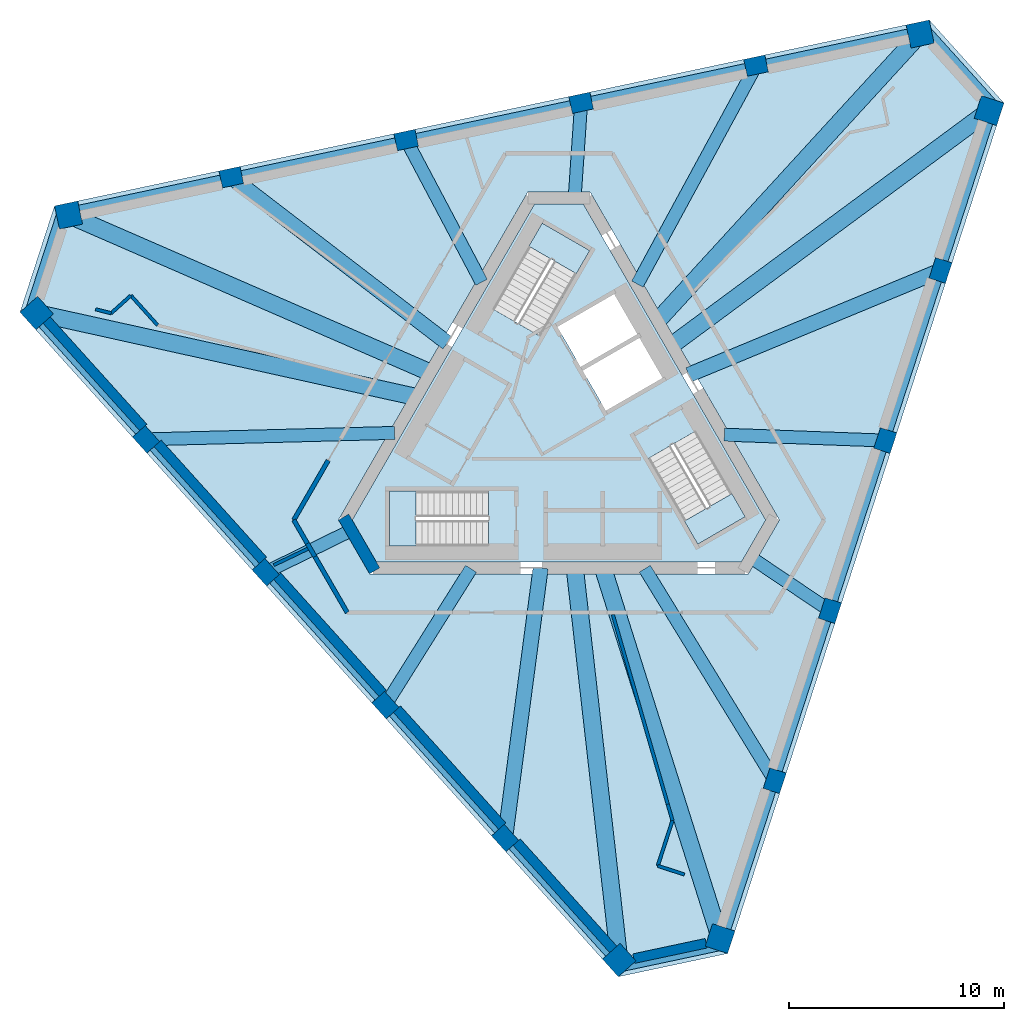
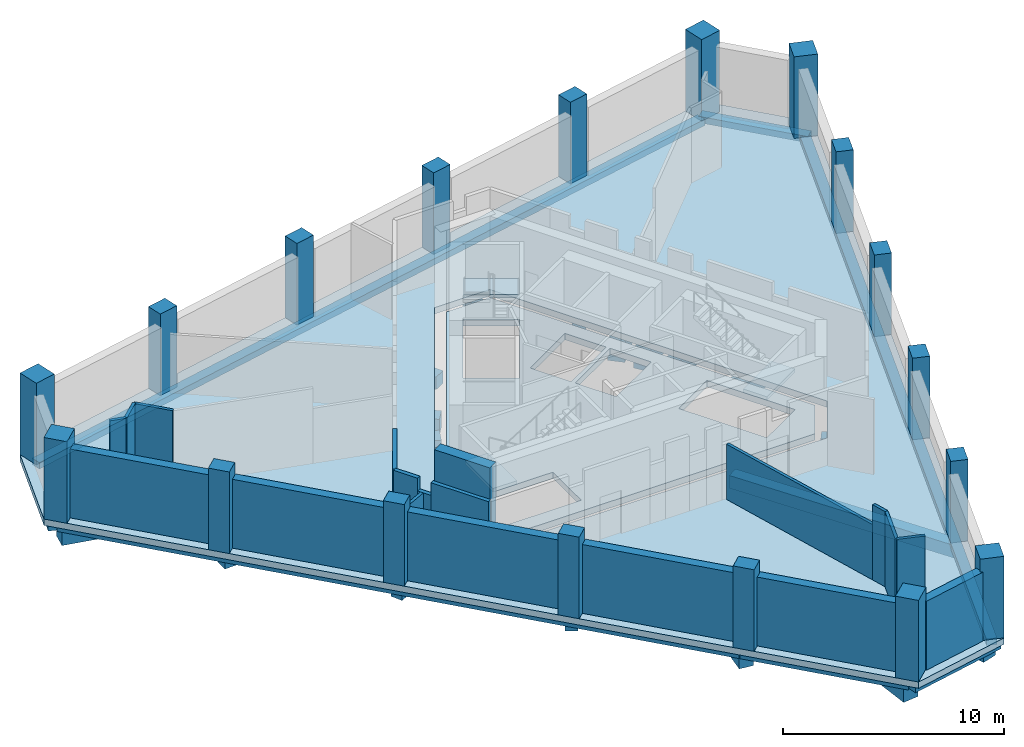
# One storey, part 1 of 5: 24 beams, 19 walls, 18 columns, 5 slabs, 3 elements without a shape of their own.
"""IFC4 building model written with IfcOpenShell, lengths in metres."""

from ifc_helpers import new_model, si_unit, direction, frame, frame_2d, origin, origin_2d, place, context, subcontext, project, spatial, polyline, rectangle, outline, extrude, material, layer, layer_set, material_profile, profile_set, type_object, element, aggregate, save


model = new_model("IFC4")

# Units and contexts
model_context = context("Model", 3, precision=1e-05, world=origin(), true_north=direction((0.0, 1.0)))
body_context = subcontext(model_context, "Body", "Model", "MODEL_VIEW")
ifc_project = project(units=[si_unit("LENGTHUNIT", "METRE"), si_unit("AREAUNIT", "SQUARE_METRE"), si_unit("VOLUMEUNIT", "CUBIC_METRE"), si_unit("PLANEANGLEUNIT", "RADIAN"), si_unit("MASSUNIT", "GRAM", prefix="KILO")], contexts=[model_context])

# Site, building, storey
site_placement = place(None, origin())
site = spatial("IfcSite", under=ifc_project, at=site_placement, CompositionType="ELEMENT")
building_placement = place(site_placement, origin())
building = spatial("IfcBuilding", under=site, at=building_placement, Name="Tramontana Tower", CompositionType="ELEMENT")
storey_placement = place(building_placement, frame((0.0, 0.0, 352.39990234375)))
storey = spatial("IfcBuildingStorey", under=building, at=storey_placement, Name="L81", CompositionType="ELEMENT", Elevation=352.39990234375)

# Columns
ifc_material_1 = material(Name="Concrete 55 MPa", Category="concrete")
ifc_material_profile_1 = material_profile(ifc_material_1, rectangle(XDim=1.10009765625, YDim=1.10009765625, at=origin_2d()), Name="Mega column 1100X1100 55 MPa")
ifc_profile_set_1 = profile_set([ifc_material_profile_1], Name="Concrete 55 MPa")
column_type_1 = type_object("IfcColumnType", Name="Mega column 1100X1100 55 MPa", PredefinedType="COLUMN", material=ifc_profile_set_1)
for number, where, z_axis, x_axis, name in (
    (1, (-24.278076171875, 5.368408203125, 0.0), (0.0, 0.0, 1.0), (0.669130606359, -0.743144825477, 0.0), "Mega column C8K1 L81"),
    (2, (2.80126953125, -24.706298828125, 0.0), (0.0, 0.0, 1.0), (0.669130606359, -0.743144825477, 0.0), "Mega column C8K2 L81"),
    (3, (7.489990234375, -23.70947265625, 0.0), (0.0, 0.0, 1.0), (0.309016994375, 0.951056516295, 0.0), "Mega column C8K3 L81"),
    (4, (19.99560546875, 14.779052734375, 0.0), (0.0, 0.0, 1.0), (0.309016994375, 0.951056516295, 0.0), "Mega column C8K4 L81"),
    (5, (16.7880859375, 18.34130859375, 0.0), (0.0, 0.0, 1.0), (-0.978147600734, -0.207911690818, 0.0), "Mega column C8K5 L81"),
    (6, (-22.796875, 9.92724609375, 0.0), (0.0, 0.0, 1.0), (-0.978147600734, -0.207911690818, 0.0), "Mega column C8K6 L81"),
):
    element("IfcColumn", number, at=place(storey_placement, frame(where, z_axis=z_axis, x_axis=x_axis)), inside=storey, type_object=column_type_1, Name=name, PredefinedType="COLUMN", context=body_context, shape_type="SweptSolid", body=[
        extrude(rectangle(XDim=1.10009765625, YDim=1.10009765625, at=origin_2d()), origin(), (0.0, 0.0, 1.0), 4.5),
    ])
ifc_material_2 = material(Name="Concrete 55 MPa", Category="concrete")
ifc_material_profile_2 = material_profile(ifc_material_2, rectangle(XDim=1.0, YDim=0.800048828125, at=origin_2d()), Name="Pier column 1000X800 55 MPa")
ifc_profile_set_2 = profile_set([ifc_material_profile_2], Name="Concrete 55 MPa")
column_type_2 = type_object("IfcColumnType", Name="Pier column 1000X800 55 MPa", PredefinedType="COLUMN", material=ifc_profile_set_2)
for number, where, z_axis, x_axis, name in (
    (7, (-19.194580078125, -0.501708984375, 0.0), (0.0, 0.0, 1.0), (0.669130606359, -0.743144825477, 0.0), "Pier column C8F01 L81"),
    (8, (-13.63134765625, -6.68017578125, 0.0), (0.0, 0.0, 1.0), (0.669130606359, -0.743144825477, 0.0), "Pier column C8F02 L81"),
    (9, (-8.068359375, -12.8583984375, 0.0), (0.0, 0.0, 1.0), (0.669130606359, -0.743144825477, 0.0), "Pier column C8F03 L81"),
    (10, (-2.50537109375, -19.036865234375, 0.0), (0.0, 0.0, 1.0), (0.669130606359, -0.743144825477, 0.0), "Pier column C8F04 L81"),
    (11, (10.03173828125, -16.3720703125, 0.0), (0.0, 0.0, 1.0), (0.309016994375, 0.951056516295, 0.0), "Pier column C8F05 L81"),
    (12, (12.600830078125, -8.465087890625, 0.0), (0.0, 0.0, 1.0), (0.309016994375, 0.951056516295, 0.0), "Pier column C8F06 L81"),
    (13, (15.169921875, -0.55810546875, 0.0), (0.0, 0.0, 1.0), (0.309016994375, 0.951056516295, 0.0), "Pier column C8F07 L81"),
    (14, (17.739013671875, 7.348876953125, 0.0), (0.0, 0.0, 1.0), (0.309016994375, 0.951056516295, 0.0), "Pier column C8F08 L81"),
    (15, (9.162841796875, 16.873779296875, 0.0), (0.0, 0.0, 1.0), (-0.978147600734, -0.207911690818, 0.0), "Pier column C8F09 L81"),
    (16, (1.030517578125, 15.145263671875, 0.0), (0.0, 0.0, 1.0), (-0.978147600734, -0.207911690818, 0.0), "Pier column C8F10 L81"),
    (17, (-7.1015625, 13.416748046875, 0.0), (0.0, 0.0, 1.0), (-0.978147600734, -0.207911690818, 0.0), "Pier column C8F11 L81"),
    (18, (-15.233642578125, 11.688232421875, 0.0), (0.0, 0.0, 1.0), (-0.978147600734, -0.207911690818, 0.0), "Pier column C8F12 L81"),
):
    element("IfcColumn", number, at=place(storey_placement, frame(where, z_axis=z_axis, x_axis=x_axis)), inside=storey, type_object=column_type_2, Name=name, PredefinedType="COLUMN", context=body_context, shape_type="SweptSolid", body=[
        extrude(rectangle(XDim=1.0, YDim=0.800048828125, at=origin_2d()), origin(), (0.0, 0.0, 1.0), 4.5),
    ])

# Beams
ifc_material_3 = material(Name="Concrete 40 MPa", Category="concrete")
ifc_material_profile_3 = material_profile(ifc_material_3, rectangle(XDim=0.5, YDim=0.35009765625, at=origin_2d()), Name="RC EDGE BEAM 500X350 40 MPa")
ifc_profile_set_3 = profile_set([ifc_material_profile_3], Name="Concrete 40 MPa")
beam_type_1 = type_object("IfcBeamType", Name="RC EDGE BEAM 500X350 40 MPa", PredefinedType="SPANDREL", material=ifc_profile_set_3)
for number, where, z_axis, x_axis, name in (
    (19, (-24.352294921875, 5.301513671875, -0.52490234375), (0.669126699639, -0.743148343086, 0.0), (0.743148343086, 0.669126699639, 0.0), "Spandrel beam S0 L81"),
    (20, (7.5849609375, -23.740478515625, -0.52490234375), (0.309021003975, 0.951055213488, 0.0), (-0.951055213488, 0.309021003975, 0.0), "Spandrel beam S1 L81"),
):
    element("IfcBeam", number, at=place(storey_placement, frame(where, z_axis=z_axis, x_axis=x_axis)), inside=storey, type_object=beam_type_1, Name=name, PredefinedType="SPANDREL", context=body_context, shape_type="SweptSolid", body=[
        extrude(rectangle(XDim=0.5, YDim=0.35009765625, at=origin_2d()), origin(), (0.0, 0.0, 1.0), 40.46923828125),
    ])
beam_1_placement = place(storey_placement, frame((16.767333984375, 18.439208984375, -0.52490234375), z_axis=(-0.978146276815, -0.20791791927, 0.0), x_axis=(0.20791791927, -0.978146276815, 0.0)))
element("IfcBeam", 21, at=beam_1_placement, inside=storey, type_object=beam_type_1, Name="Spandrel beam S2 L81", PredefinedType="SPANDREL", context=body_context, shape_type="SweptSolid", body=[
    extrude(rectangle(XDim=0.5, YDim=0.35009765625, at=origin_2d()), origin(), (0.0, 0.0, 1.0), 40.469482421875),
])
beam_2_placement = place(storey_placement, frame((-23.02099609375, 10.2119140625, -0.52490234375), z_axis=(-0.309015953557, -0.951056854477, 0.0), x_axis=(0.951056854477, -0.309015953557, 0.0)))
element("IfcBeam", 22, at=beam_2_placement, inside=storey, type_object=beam_type_1, Name="Spandrel beam K0 L81", PredefinedType="SPANDREL", context=body_context, shape_type="SweptSolid", body=[
    extrude(rectangle(XDim=0.5, YDim=0.35009765625, at=origin_2d()), origin(), (0.0, 0.0, 1.0), 5.1962890625),
])
for number, where, z_axis, x_axis, name in (
    (23, (2.6669921875, -25.042724609375, -0.52490234375), (0.97814762463, 0.207911578393, 0.0), (-0.207911578393, 0.97814762463, 0.0), "Spandrel beam K1 L81"),
    (24, (20.354248046875, 14.8310546875, -0.52490234375), (-0.66916199362, 0.74311656306, 0.0), (-0.74311656306, -0.66916199362, 0.0), "Spandrel beam K2 L81"),
):
    element("IfcBeam", number, at=place(storey_placement, frame(where, z_axis=z_axis, x_axis=x_axis)), inside=storey, type_object=beam_type_1, Name=name, PredefinedType="SPANDREL", context=body_context, shape_type="SweptSolid", body=[
        extrude(rectangle(XDim=0.5, YDim=0.35009765625, at=origin_2d()), origin(), (0.0, 0.0, 1.0), 5.196044921875),
    ])
ifc_material_4 = material(Name="Concrete 40 MPa", Category="concrete")
ifc_material_profile_4 = material_profile(ifc_material_4, rectangle(XDim=0.60009765625, YDim=0.699951171875, at=origin_2d()), Name="RC GIRDER 600X700 40 MPa")
ifc_profile_set_4 = profile_set([ifc_material_profile_4], Name="Concrete 40 MPa")
beam_type_2 = type_object("IfcBeamType", Name="RC GIRDER 600X700 40 MPa", PredefinedType="BEAM", material=ifc_profile_set_4)
beam_3_placement = place(storey_placement, frame((-19.194580078125, -0.501708984375, -0.699951171875), z_axis=(0.999658682192, 0.026125066864, 0.0), x_axis=(-0.026125066864, 0.999658682192, 0.0)))
element("IfcBeam", 25, at=beam_3_placement, inside=storey, type_object=beam_type_2, Name="Radial girder C8F01 L81", PredefinedType="BEAM", context=body_context, shape_type="SweptSolid", body=[
    extrude(rectangle(XDim=0.60009765625, YDim=0.699951171875, at=origin_2d()), origin(), (0.0, 0.0, 1.0), 11.559814453125),
])
beam_4_placement = place(storey_placement, frame((-13.63134765625, -6.68017578125, -0.699951171875), z_axis=(0.897959158445, 0.440078799496, 0.0), x_axis=(-0.440078799496, 0.897959158445, 0.0)))
element("IfcBeam", 26, at=beam_4_placement, inside=storey, type_object=beam_type_2, Name="Radial girder C8F02 L81", PredefinedType="BEAM", context=body_context, shape_type="SweptSolid", body=[
    extrude(rectangle(XDim=0.60009765625, YDim=0.699951171875, at=origin_2d()), origin(), (0.0, 0.0, 1.0), 4.4296875),
])
beam_5_placement = place(storey_placement, frame((-8.068359375, -12.8583984375, -0.699951171875), z_axis=(0.531504835363, 0.847055257929, 0.0), x_axis=(-0.847055257929, 0.531504835363, 0.0)))
element("IfcBeam", 27, at=beam_5_placement, inside=storey, type_object=beam_type_2, Name="Radial girder C8F03 L81", PredefinedType="BEAM", context=body_context, shape_type="SweptSolid", body=[
    extrude(rectangle(XDim=0.60009765625, YDim=0.699951171875, at=origin_2d()), origin(), (0.0, 0.0, 1.0), 7.486328125),
])
beam_6_placement = place(storey_placement, frame((10.03173828125, -16.3720703125, -0.699951171875), z_axis=(-0.522458548495, 0.852664685034, 0.0), x_axis=(-0.852664685034, -0.522458548495, 0.0)))
element("IfcBeam", 28, at=beam_6_placement, inside=storey, type_object=beam_type_2, Name="Radial girder C8F05 L81", PredefinedType="BEAM", context=body_context, shape_type="SweptSolid", body=[
    extrude(rectangle(XDim=0.60009765625, YDim=0.699951171875, at=origin_2d()), origin(), (0.0, 0.0, 1.0), 11.559814453125),
])
beam_7_placement = place(storey_placement, frame((12.600830078125, -8.465087890625, -0.699951171875), z_axis=(-0.830077902204, 0.557647448011, 0.0), x_axis=(-0.557647448011, -0.830077902204, 0.0)))
element("IfcBeam", 29, at=beam_7_placement, inside=storey, type_object=beam_type_2, Name="Radial girder C8F06 L81", PredefinedType="BEAM", context=body_context, shape_type="SweptSolid", body=[
    extrude(rectangle(XDim=0.60009765625, YDim=0.699951171875, at=origin_2d()), origin(), (0.0, 0.0, 1.0), 4.4296875),
])
beam_8_placement = place(storey_placement, frame((15.169921875, -0.55810546875, -0.699951171875), z_axis=(-0.999324360611, 0.036753534393, 0.0), x_axis=(-0.036753534393, -0.999324360611, 0.0)))
element("IfcBeam", 30, at=beam_8_placement, inside=storey, type_object=beam_type_2, Name="Radial girder C8F07 L81", PredefinedType="BEAM", context=body_context, shape_type="SweptSolid", body=[
    extrude(rectangle(XDim=0.60009765625, YDim=0.699951171875, at=origin_2d()), origin(), (0.0, 0.0, 1.0), 7.486328125),
])
beam_9_placement = place(storey_placement, frame((9.16259765625, 16.873779296875, -0.699951171875), z_axis=(-0.477185075818, -0.87880282397, 0.0), x_axis=(0.87880282397, -0.477185075818, 0.0)))
element("IfcBeam", 31, at=beam_9_placement, inside=storey, type_object=beam_type_2, Name="Radial girder C8F09 L81", PredefinedType="BEAM", context=body_context, shape_type="SweptSolid", body=[
    extrude(rectangle(XDim=0.60009765625, YDim=0.699951171875, at=origin_2d()), origin(), (0.0, 0.0, 1.0), 11.559814453125),
])
beam_10_placement = place(storey_placement, frame((1.030517578125, 15.145263671875, -0.699951171875), z_axis=(-0.067897965918, -0.997692270304, 0.0), x_axis=(0.997692270304, -0.067897965918, 0.0)))
element("IfcBeam", 32, at=beam_10_placement, inside=storey, type_object=beam_type_2, Name="Radial girder C8F10 L81", PredefinedType="BEAM", context=body_context, shape_type="SweptSolid", body=[
    extrude(rectangle(XDim=0.60009765625, YDim=0.699951171875, at=origin_2d()), origin(), (0.0, 0.0, 1.0), 4.429931640625),
])
beam_11_placement = place(storey_placement, frame((-7.1015625, 13.416748046875, -0.699951171875), z_axis=(0.467808305742, -0.883829954843, 0.0), x_axis=(0.883829954843, 0.467808305742, 0.0)))
element("IfcBeam", 33, at=beam_11_placement, inside=storey, type_object=beam_type_2, Name="Radial girder C8F11 L81", PredefinedType="BEAM", context=body_context, shape_type="SweptSolid", body=[
    extrude(rectangle(XDim=0.60009765625, YDim=0.699951171875, at=origin_2d()), origin(), (0.0, 0.0, 1.0), 7.486328125),
])
ifc_material_5 = material(Name="Concrete 40 MPa", Category="concrete")
ifc_material_profile_5 = material_profile(ifc_material_5, rectangle(XDim=0.699951171875, YDim=0.89990234375, at=origin_2d()), Name="RC GIRDER 700X900 40 MPa")
ifc_profile_set_5 = profile_set([ifc_material_profile_5], Name="Concrete 40 MPa")
beam_type_3 = type_object("IfcBeamType", Name="RC GIRDER 700X900 40 MPa", PredefinedType="BEAM", material=ifc_profile_set_5)
beam_12_placement = place(storey_placement, frame((-2.50537109375, -19.036865234375, -0.7998046875), z_axis=(0.130493398369, 0.991449178214, 0.0), x_axis=(-0.991449178214, 0.130493398369, 0.0)))
element("IfcBeam", 34, at=beam_12_placement, inside=storey, type_object=beam_type_3, Name="Radial girder C8F04 L81", PredefinedType="BEAM", context=body_context, shape_type="SweptSolid", body=[
    extrude(rectangle(XDim=0.699951171875, YDim=0.89990234375, at=origin_2d()), origin(), (0.0, 0.0, 1.0), 12.66796875),
])
beam_13_placement = place(storey_placement, frame((17.739013671875, 7.348876953125, -0.7998046875), z_axis=(-0.923857326556, -0.382737037885, 0.0), x_axis=(0.382737037885, -0.923857326556, 0.0)))
element("IfcBeam", 35, at=beam_13_placement, inside=storey, type_object=beam_type_3, Name="Radial girder C8F08 L81", PredefinedType="BEAM", context=body_context, shape_type="SweptSolid", body=[
    extrude(rectangle(XDim=0.699951171875, YDim=0.89990234375, at=origin_2d()), origin(), (0.0, 0.0, 1.0), 12.667724609375),
])
beam_14_placement = place(storey_placement, frame((-15.23388671875, 11.68798828125, -0.7998046875), z_axis=(0.793386383047, -0.608718364431, 0.0), x_axis=(0.608718364431, 0.793386383047, 0.0)))
element("IfcBeam", 36, at=beam_14_placement, inside=storey, type_object=beam_type_3, Name="Radial girder C8F12 L81", PredefinedType="BEAM", context=body_context, shape_type="SweptSolid", body=[
    extrude(rectangle(XDim=0.699951171875, YDim=0.89990234375, at=origin_2d()), origin(), (0.0, 0.0, 1.0), 12.66796875),
])
ifc_material_6 = material(Name="Concrete 40 MPa", Category="concrete")
ifc_material_profile_6 = material_profile(ifc_material_6, rectangle(XDim=0.800048828125, YDim=1.10009765625, at=origin_2d()), Name="RC GIRDER 800X1100 40 MPa")
ifc_profile_set_6 = profile_set([ifc_material_profile_6], Name="Concrete 40 MPa")
beam_type_4 = type_object("IfcBeamType", Name="RC GIRDER 800X1100 40 MPa", PredefinedType="BEAM", material=ifc_profile_set_6)
beam_15_placement = place(storey_placement, frame((-24.278076171875, 5.368408203125, -0.89990234375), z_axis=(0.976414256624, -0.215905533653, 0.0), x_axis=(0.215905533653, 0.976414256624, 0.0)))
element("IfcBeam", 37, at=beam_15_placement, inside=storey, type_object=beam_type_4, Name="Radial girder C8K1 L81", PredefinedType="BEAM", context=body_context, shape_type="SweptSolid", body=[
    extrude(rectangle(XDim=0.800048828125, YDim=1.10009765625, at=origin_2d()), origin(), (0.0, 0.0, 1.0), 18.060791015625),
])
beam_16_placement = place(storey_placement, frame((2.80126953125, -24.706298828125, -0.89990234375), z_axis=(-0.112660068087, 0.993633588934, 0.0), x_axis=(-0.993633588934, -0.112660068087, 0.0)))
element("IfcBeam", 38, at=beam_16_placement, inside=storey, type_object=beam_type_4, Name="Radial girder C8K2 L81", PredefinedType="BEAM", context=body_context, shape_type="SweptSolid", body=[
    extrude(rectangle(XDim=0.800048828125, YDim=1.10009765625, at=origin_2d()), origin(), (0.0, 0.0, 1.0), 18.34619140625),
])
beam_17_placement = place(storey_placement, frame((7.489990234375, -23.709716796875, -0.89990234375), z_axis=(-0.301228407795, 0.953552015538, 0.0), x_axis=(-0.953552015538, -0.301228407795, 0.0)))
element("IfcBeam", 39, at=beam_17_placement, inside=storey, type_object=beam_type_4, Name="Radial girder C8K3 L81", PredefinedType="BEAM", context=body_context, shape_type="SweptSolid", body=[
    extrude(rectangle(XDim=0.800048828125, YDim=1.10009765625, at=origin_2d()), origin(), (0.0, 0.0, 1.0), 18.060791015625),
])
beam_18_placement = place(storey_placement, frame((19.99560546875, 14.779052734375, -0.89990234375), z_axis=(-0.804178630494, -0.594387693562, 0.0), x_axis=(0.594387693562, -0.804178630494, 0.0)))
element("IfcBeam", 40, at=beam_18_placement, inside=storey, type_object=beam_type_4, Name="Radial girder C8K4 L81", PredefinedType="BEAM", context=body_context, shape_type="SweptSolid", body=[
    extrude(rectangle(XDim=0.800048828125, YDim=1.10009765625, at=origin_2d()), origin(), (0.0, 0.0, 1.0), 18.34619140625),
])
beam_19_placement = place(storey_placement, frame((16.7880859375, 18.34130859375, -0.89990234375), z_axis=(-0.675183941423, -0.737649405371, 0.0), x_axis=(0.737649405371, -0.675183941423, 0.0)))
element("IfcBeam", 41, at=beam_19_placement, inside=storey, type_object=beam_type_4, Name="Radial girder C8K5 L81", PredefinedType="BEAM", context=body_context, shape_type="SweptSolid", body=[
    extrude(rectangle(XDim=0.800048828125, YDim=1.10009765625, at=origin_2d()), origin(), (0.0, 0.0, 1.0), 18.060791015625),
])
beam_20_placement = place(storey_placement, frame((-22.796875, 9.92724609375, -0.89990234375), z_axis=(0.916837391717, -0.399260813441, 0.0), x_axis=(0.399260813441, 0.916837391717, 0.0)))
element("IfcBeam", 42, at=beam_20_placement, inside=storey, type_object=beam_type_4, Name="Radial girder C8K6 L81", PredefinedType="BEAM", context=body_context, shape_type="SweptSolid", body=[
    extrude(rectangle(XDim=0.800048828125, YDim=1.10009765625, at=origin_2d()), origin(), (0.0, 0.0, 1.0), 18.34619140625),
])

# Slabs
ifc_material_7 = material(Name="Concrete 40 MPa", Category="concrete")
ifc_layer_1 = layer(ifc_material_7, 0.35009765625)
ifc_layer_set_1 = layer_set([ifc_layer_1], Name="PT FLAT SLAB 350 40 MPa")
slab_type_1 = type_object("IfcSlabType", Name="PT FLAT SLAB 350 40 MPa", PredefinedType="FLOOR", material=ifc_layer_set_1)
slab_1_placement = place(storey_placement, frame((0.0, 0.0, -0.349853515625)))
element("IfcSlab", 43, at=slab_1_placement, inside=storey, type_object=slab_type_1, Name="Floor slab L81", PredefinedType="FLOOR", context=body_context, shape_type="SweptSolid", body=[
    extrude(outline(polyline([(20.688720703125, 15.132080078125), (7.843017578125, -24.402587890625), (2.760498046875, -25.48291015625), (-25.0546875, 5.408935546875), (-23.44921875, 10.350830078125), (17.211669921875, 18.99365234375), (20.688720703125, 15.132080078125)]), holes=[polyline([(-10.248046875, -4.25), (-8.8046875, -6.75), (8.8046875, -6.75), (10.248046875, -4.25), (1.443359375, 11.0), (-1.443359375, 11.0), (-10.248046875, -4.25)])]), origin(), (0.0, 0.0, 1.0), 0.349853515625),
])
slab_2_placement = place(storey_placement, frame((0.0, 0.0, -0.349853515625)))
element("IfcSlab", 44, at=slab_2_placement, inside=storey, type_object=slab_type_1, Name="Core floor slab L81", PredefinedType="FLOOR", context=body_context, shape_type="SweptSolid", body=[
    extrude(outline(polyline([(9.61279296875, -4.25), (8.487060546875, -6.199951171875), (-8.487060546875, -6.199951171875), (-9.61279296875, -4.25), (-1.125732421875, 10.449951171875), (1.125732421875, 10.449951171875), (9.61279296875, -4.25)]), holes=[polyline([(6.35986328125, -0.115478515625), (4.151611328125, -1.390625), (6.451416015625, -5.374267578125), (8.659912109375, -4.099365234375), (6.35986328125, -0.115478515625)]), polyline([(1.101806640625, 2.69140625), (2.177001953125, 0.82958984375), (4.90478515625, 2.404541015625), (3.829833984375, 4.2666015625), (1.101806640625, 2.69140625)]), polyline([(2.65478515625, 6.3017578125), (-0.072998046875, 4.726806640625), (1.001953125, 2.86474609375), (3.729736328125, 4.439697265625), (2.65478515625, 6.3017578125)]), polyline([(-0.77978515625, 9.54931640625), (-3.079833984375, 5.565673828125), (-0.87158203125, 4.29052734375), (1.428466796875, 8.2744140625), (-0.77978515625, 9.54931640625)]), polyline([(-3.280029296875, -5.449951171875), (-3.280029296875, -2.89990234375), (-7.8798828125, -2.89990234375), (-7.8798828125, -5.449951171875), (-3.280029296875, -5.449951171875)])]), origin(), (0.0, 0.0, 1.0), 0.349853515625),
])

# Stair, slab
ifc_material_8 = material(Name="Concrete 40 MPa", Category="concrete")
stair_type = type_object("IfcStairType", Name="EXIT STAIR 26 RISERS", PredefinedType="HALF_TURN_STAIR", material=ifc_material_8)
stair_1_placement = place(storey_placement, origin())
stair_1 = element("IfcStair", 45, at=stair_1_placement, inside=storey, type_object=stair_type, Name="L81 Exit stair ST1", PredefinedType="HALF_TURN_STAIR")
ifc_material_9 = material(Name="Concrete 40 MPa", Category="concrete")
ifc_layer_2 = layer(ifc_material_9, 0.199951171875)
ifc_layer_set_2 = layer_set([ifc_layer_2], Name="STAIR LANDING 200")
slab_type_2 = type_object("IfcSlabType", Name="STAIR LANDING 200", PredefinedType="LANDING", material=ifc_layer_set_2)
slab_3_placement = place(storey_placement, frame((0.0, 0.0, 2.050048828125)))
slab_3 = element("IfcSlab", 46, at=slab_3_placement, type_object=slab_type_2, Name="ST1 landing 1", PredefinedType="LANDING", context=body_context, shape_type="SweptSolid", body=[
    extrude(outline(polyline([(0.80859375, 7.200439453125), (1.428466796875, 8.274169921875), (-0.77978515625, 9.54931640625), (-1.39990234375, 8.475341796875), (0.80859375, 7.200439453125)])), origin(), (0.0, 0.0, 1.0), 0.199951171875),
])
aggregate(stair_1, [slab_3])

stair_2_placement = place(storey_placement, origin())
stair_2 = element("IfcStair", 47, at=stair_2_placement, inside=storey, type_object=stair_type, Name="L81 Exit stair ST2", PredefinedType="HALF_TURN_STAIR")
slab_4_placement = place(storey_placement, frame((0.0, 0.0, 2.050048828125)))
slab_4 = element("IfcSlab", 48, at=slab_4_placement, type_object=slab_type_2, Name="ST2 landing 1", PredefinedType="LANDING", context=body_context, shape_type="SweptSolid", body=[
    extrude(outline(polyline([(-6.639892578125, -2.89990234375), (-7.8798828125, -2.89990234375), (-7.8798828125, -5.449951171875), (-6.639892578125, -5.449951171875), (-6.639892578125, -2.89990234375)])), origin(), (0.0, 0.0, 1.0), 0.199951171875),
])
aggregate(stair_2, [slab_4])

stair_3_placement = place(storey_placement, origin())
stair_3 = element("IfcStair", 49, at=stair_3_placement, inside=storey, type_object=stair_type, Name="L81 Exit stair ST3", PredefinedType="HALF_TURN_STAIR")
slab_5_placement = place(storey_placement, frame((0.0, 0.0, 2.050048828125)))
slab_5 = element("IfcSlab", 50, at=slab_5_placement, type_object=slab_type_2, Name="ST3 landing 1", PredefinedType="LANDING", context=body_context, shape_type="SweptSolid", body=[
    extrude(outline(polyline([(5.83154296875, -4.30029296875), (6.451416015625, -5.374267578125), (8.659912109375, -4.099365234375), (8.039794921875, -3.025390625), (5.83154296875, -4.30029296875)])), origin(), (0.0, 0.0, 1.0), 0.199951171875),
])
aggregate(stair_3, [slab_5])

# Walls
ifc_material_10 = material(Name="Concrete 70 MPa", Category="concrete")
ifc_layer_3 = layer(ifc_material_10, 0.550048828125)
ifc_layer_set_3 = layer_set([ifc_layer_3], Name="Core wall 550 70 MPa")
wall_type_1 = type_object("IfcWallType", Name="Core wall 550 70 MPa", PredefinedType="SHEAR", material=ifc_layer_set_3)
wall_1_placement = place(storey_placement, frame((-10.009765625, -4.112548828125, 0.0), z_axis=(0.0, 0.0, 1.0), x_axis=(0.499995765644, -0.866027848477, 0.0)))
element("IfcWall", 51, at=wall_1_placement, inside=storey, type_object=wall_type_1, Name="Core wall C2 L81", PredefinedType="SHEAR", context=body_context, shape_type="SweptSolid", body=[
    extrude(rectangle(XDim=2.88671875, YDim=0.550048828125, at=frame_2d((1.443359375, 0.0))), origin(), (0.0, 0.0, 1.0), 4.5),
])
ifc_material_11 = material(Name="Blockwork", Category="masonry")
ifc_layer_4 = layer(ifc_material_11, 0.199951171875)
ifc_layer_set_4 = layer_set([ifc_layer_4], Name="ENTRY WALL 200")
wall_type_2 = type_object("IfcWallType", Name="ENTRY WALL 200", PredefinedType="SOLIDWALL", material=ifc_layer_set_4)
wall_2_placement = place(storey_placement, frame((-9.84375, -8.550048828125, 0.0), z_axis=(0.0, 0.0, 1.0), x_axis=(-0.500003959331, 0.866023117852, 0.0)))
element("IfcWall", 52, at=wall_2_placement, inside=storey, type_object=wall_type_2, Name="Wall ew2-0", PredefinedType="SOLIDWALL", context=body_context, shape_type="SweptSolid", body=[
    extrude(rectangle(XDim=3.0029296875, YDim=0.199951171875, at=frame_2d((1.50146484375, 0.0))), origin(), (0.0, 0.0, 1.0), 4.150146484375),
])
wall_3_placement = place(storey_placement, frame((-11.34521484375, -5.949462890625, 0.0), z_axis=(0.0, 0.0, 1.0), x_axis=(-0.499993523031, 0.866029143232, 0.0)))
element("IfcWall", 53, at=wall_3_placement, inside=storey, type_object=wall_type_2, Name="Wall ew2-1", PredefinedType="SOLIDWALL", context=body_context, shape_type="SweptSolid", body=[
    extrude(rectangle(XDim=0.70166015625, YDim=0.199951171875, at=frame_2d((0.350830078125, 0.0))), origin(), (0.0, 0.0, 1.0), 3.4501953125),
])
wall_4_placement = place(storey_placement, frame((-11.696044921875, -5.341796875, 0.0), z_axis=(0.0, 0.0, 1.0), x_axis=(-0.500013012896, 0.866017890655, 0.0)))
element("IfcWall", 54, at=wall_4_placement, inside=storey, type_object=wall_type_2, Name="Wall ew2-2", PredefinedType="SOLIDWALL", context=body_context, shape_type="SweptSolid", body=[
    extrude(rectangle(XDim=1.2607421875, YDim=0.199951171875, at=frame_2d((0.63037109375, 0.0))), origin(), (0.0, 0.0, 1.0), 4.150146484375),
])
wall_5_placement = place(storey_placement, frame((-12.326416015625, -4.25, 0.0), z_axis=(0.0, 0.0, 1.0), x_axis=(0.499997778408, 0.866026686418, 0.0)))
element("IfcWall", 55, at=wall_5_placement, inside=storey, type_object=wall_type_2, Name="Wall ew3-0", PredefinedType="SOLIDWALL", context=body_context, shape_type="SweptSolid", body=[
    extrude(rectangle(XDim=3.1982421875, YDim=0.199951171875, at=frame_2d((1.59912109375, 0.0))), origin(), (0.0, 0.0, 1.0), 4.150146484375),
])
ifc_material_12 = material(Name="Precast concrete 60 MPa", Category="concrete")
ifc_layer_5 = layer(ifc_material_12, 0.449951171875)
ifc_layer_set_5 = layer_set([ifc_layer_5], Name="Precast concrete 60 MPa, 450 mm")
wall_type_3 = type_object("IfcWallType", Name="EW1 Stone-faced precast wall 450", PredefinedType="SOLIDWALL", material=ifc_layer_set_5)
wall_6_placement = place(storey_placement, frame((-23.817138671875, 5.043212890625, 0.0), z_axis=(0.0, 0.0, 1.0), x_axis=(0.669137493687, -0.743138624041, 0.0)))
element("IfcWall", 56, at=wall_6_placement, inside=storey, type_object=wall_type_3, Name="Stone band wall L81 face 0s 1", PredefinedType="SOLIDWALL", context=body_context, shape_type="SweptSolid", body=[
    extrude(rectangle(XDim=6.7138671875, YDim=0.449951171875, at=frame_2d((3.35693359375, 0.0))), origin(), (0.0, 0.0, 1.0), 3.800048828125),
])
wall_7_placement = place(storey_placement, frame((-18.655517578125, -0.689208984375, 0.0), z_axis=(0.0, 0.0, 1.0), x_axis=(0.669117789535, -0.743156365598, 0.0)))
element("IfcWall", 57, at=wall_7_placement, inside=storey, type_object=wall_type_3, Name="Stone band wall L81 face 0s 2", PredefinedType="SOLIDWALL", context=body_context, shape_type="SweptSolid", body=[
    extrude(rectangle(XDim=7.313720703125, YDim=0.449951171875, at=frame_2d((3.65673828125, 0.0))), origin(), (0.0, 0.0, 1.0), 3.800048828125),
])
wall_8_placement = place(storey_placement, frame((-13.092529296875, -6.86767578125, 0.0), z_axis=(0.0, 0.0, 1.0), x_axis=(0.669136224502, -0.74313976684, 0.0)))
element("IfcWall", 58, at=wall_8_placement, inside=storey, type_object=wall_type_3, Name="Stone band wall L81 face 0s 3", PredefinedType="SOLIDWALL", context=body_context, shape_type="SweptSolid", body=[
    extrude(rectangle(XDim=7.31396484375, YDim=0.449951171875, at=frame_2d((3.656982421875, 0.0))), origin(), (0.0, 0.0, 1.0), 3.800048828125),
])
wall_9_placement = place(storey_placement, frame((-7.529541015625, -13.046142578125, 0.0), z_axis=(0.0, 0.0, 1.0), x_axis=(0.669152823362, -0.743124820597, 0.0)))
element("IfcWall", 59, at=wall_9_placement, inside=storey, type_object=wall_type_3, Name="Stone band wall L81 face 0s 4", PredefinedType="SOLIDWALL", context=body_context, shape_type="SweptSolid", body=[
    extrude(rectangle(XDim=7.313720703125, YDim=0.449951171875, at=frame_2d((3.65673828125, 0.0))), origin(), (0.0, 0.0, 1.0), 3.800048828125),
])
wall_10_placement = place(storey_placement, frame((-1.96630859375, -19.224365234375, 0.0), z_axis=(0.0, 0.0, 1.0), x_axis=(0.66911941145, -0.743154905266, 0.0)))
element("IfcWall", 60, at=wall_10_placement, inside=storey, type_object=wall_type_3, Name="Stone band wall L81 face 0s 5", PredefinedType="SOLIDWALL", context=body_context, shape_type="SweptSolid", body=[
    extrude(rectangle(XDim=6.7138671875, YDim=0.449951171875, at=frame_2d((3.35693359375, 0.0))), origin(), (0.0, 0.0, 1.0), 3.800048828125),
])
wall_11_placement = place(storey_placement, frame((3.4814453125, -24.6396484375, 0.0), z_axis=(0.0, 0.0, 1.0), x_axis=(0.978139158523, 0.207951404333, 0.0)))
element("IfcWall", 61, at=wall_11_placement, inside=storey, type_object=wall_type_3, Name="Stone band wall L81 face 1k 1", PredefinedType="SOLIDWALL", context=body_context, shape_type="SweptSolid", body=[
    extrude(rectangle(XDim=3.435302734375, YDim=0.449951171875, at=frame_2d((1.7177734375, 0.0))), origin(), (0.0, 0.0, 1.0), 3.800048828125),
])
ifc_material_13 = material(Name="Gypsum board partition")
ifc_layer_6 = layer(ifc_material_13, 0.14990234375)
ifc_layer_set_6 = layer_set([ifc_layer_6], Name="PARTITION 150")
wall_type_4 = type_object("IfcWallType", Name="PARTITION 150", PredefinedType="PARTITIONING", material=ifc_layer_set_6)
wall_12_placement = place(storey_placement, frame((-20.81787109375, 5.360595703125, 0.0), z_axis=(0.0, 0.0, 1.0), x_axis=(-0.968404914067, 0.24938308365, 0.0)))
element("IfcWall", 62, at=wall_12_placement, inside=storey, type_object=wall_type_4, Name="Wall fw-pw00", PredefinedType="PARTITIONING", context=body_context, shape_type="SweptSolid", body=[
    extrude(rectangle(XDim=0.74609375, YDim=0.14990234375, at=frame_2d((0.373046875, 0.0))), origin(), (0.0, 0.0, 1.0), 4.150146484375),
])
wall_13_placement = place(storey_placement, frame((-19.90234375, 6.184814453125, 0.0), z_axis=(0.0, 0.0, 1.0), x_axis=(-0.74319559291, -0.669074219111, 0.0)))
element("IfcWall", 63, at=wall_13_placement, inside=storey, type_object=wall_type_4, Name="Wall fw-pw01", PredefinedType="PARTITIONING", context=body_context, shape_type="SweptSolid", body=[
    extrude(rectangle(XDim=1.23193359375, YDim=0.14990234375, at=frame_2d((0.615966796875, 0.0))), origin(), (0.0, 0.0, 1.0), 4.150146484375),
])
wall_14_placement = place(storey_placement, frame((-18.65625, 4.803955078125, 0.0), z_axis=(0.0, 0.0, 1.0), x_axis=(-0.669080876775, 0.743189599183, 0.0)))
element("IfcWall", 64, at=wall_14_placement, inside=storey, type_object=wall_type_4, Name="Wall fw-pw02", PredefinedType="PARTITIONING", context=body_context, shape_type="SweptSolid", body=[
    extrude(rectangle(XDim=1.85791015625, YDim=0.14990234375, at=frame_2d((0.928955078125, 0.0))), origin(), (0.0, 0.0, 1.0), 4.150146484375),
])
wall_15_placement = place(storey_placement, frame((-11.671142578125, -5.585205078125, 0.0), z_axis=(0.0, 0.0, 1.0), x_axis=(-0.902028626859, -0.431676217003, 0.0)))
element("IfcWall", 65, at=wall_15_placement, inside=storey, type_object=wall_type_4, Name="Wall fw-pw03-0", PredefinedType="PARTITIONING", context=body_context, shape_type="SweptSolid", body=[
    extrude(rectangle(XDim=1.76123046875, YDim=0.14990234375, at=frame_2d((0.880615234375, 0.0))), origin(), (0.0, 0.0, 1.0), 3.4501953125),
])
wall_16_placement = place(storey_placement, frame((2.50537109375, -8.650146484375, 0.0), z_axis=(0.0, 0.0, 1.0), x_axis=(0.278185386407, -0.960527402415, 0.0)))
element("IfcWall", 66, at=wall_16_placement, inside=storey, type_object=wall_type_4, Name="Wall fw-pw08-0", PredefinedType="PARTITIONING", context=body_context, shape_type="SweptSolid", body=[
    extrude(rectangle(XDim=9.1728515625, YDim=0.14990234375, at=frame_2d((4.58642578125, 0.0))), origin(), (0.0, 0.0, 1.0), 3.050048828125),
])
wall_17_placement = place(storey_placement, frame((5.05712890625, -17.4609375, 0.0), z_axis=(0.0, 0.0, 1.0), x_axis=(0.278222842465, -0.960516553699, 0.0)))
element("IfcWall", 67, at=wall_17_placement, inside=storey, type_object=wall_type_4, Name="Wall fw-pw08-1", PredefinedType="PARTITIONING", context=body_context, shape_type="SweptSolid", body=[
    extrude(rectangle(XDim=0.79150390625, YDim=0.14990234375, at=frame_2d((0.395751953125, 0.0))), origin(), (0.0, 0.0, 1.0), 4.150146484375),
])
wall_18_placement = place(storey_placement, frame((4.594970703125, -20.328369140625, 0.0), z_axis=(0.0, 0.0, 1.0), x_axis=(0.951063088132, -0.308996767609, 0.0)))
element("IfcWall", 68, at=wall_18_placement, inside=storey, type_object=wall_type_4, Name="Wall fw-pw09", PredefinedType="PARTITIONING", context=body_context, shape_type="SweptSolid", body=[
    extrude(rectangle(XDim=1.298095703125, YDim=0.14990234375, at=frame_2d((0.64892578125, 0.0))), origin(), (0.0, 0.0, 1.0), 4.150146484375),
])
wall_19_placement = place(storey_placement, frame((5.27734375, -18.221435546875, 0.0), z_axis=(0.0, 0.0, 1.0), x_axis=(-0.309036176758, -0.951050283347, 0.0)))
element("IfcWall", 69, at=wall_19_placement, inside=storey, type_object=wall_type_4, Name="Wall fw-pw10", PredefinedType="PARTITIONING", context=body_context, shape_type="SweptSolid", body=[
    extrude(rectangle(XDim=2.212890625, YDim=0.14990234375, at=frame_2d((1.1064453125, 0.0))), origin(), (0.0, 0.0, 1.0), 4.150146484375),
])

save(model, "model.ifc")
